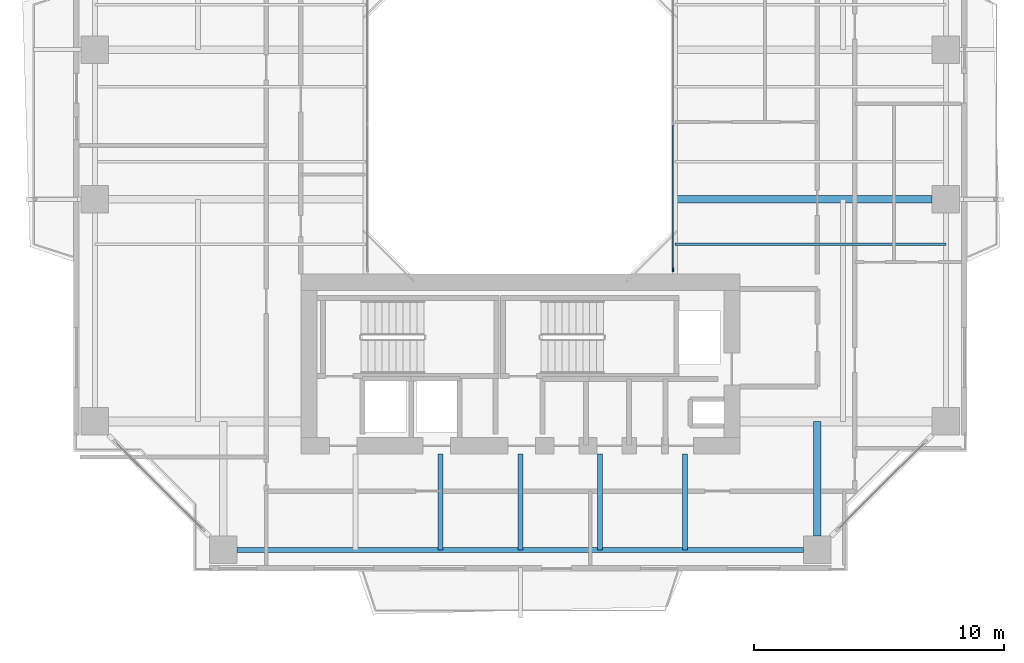
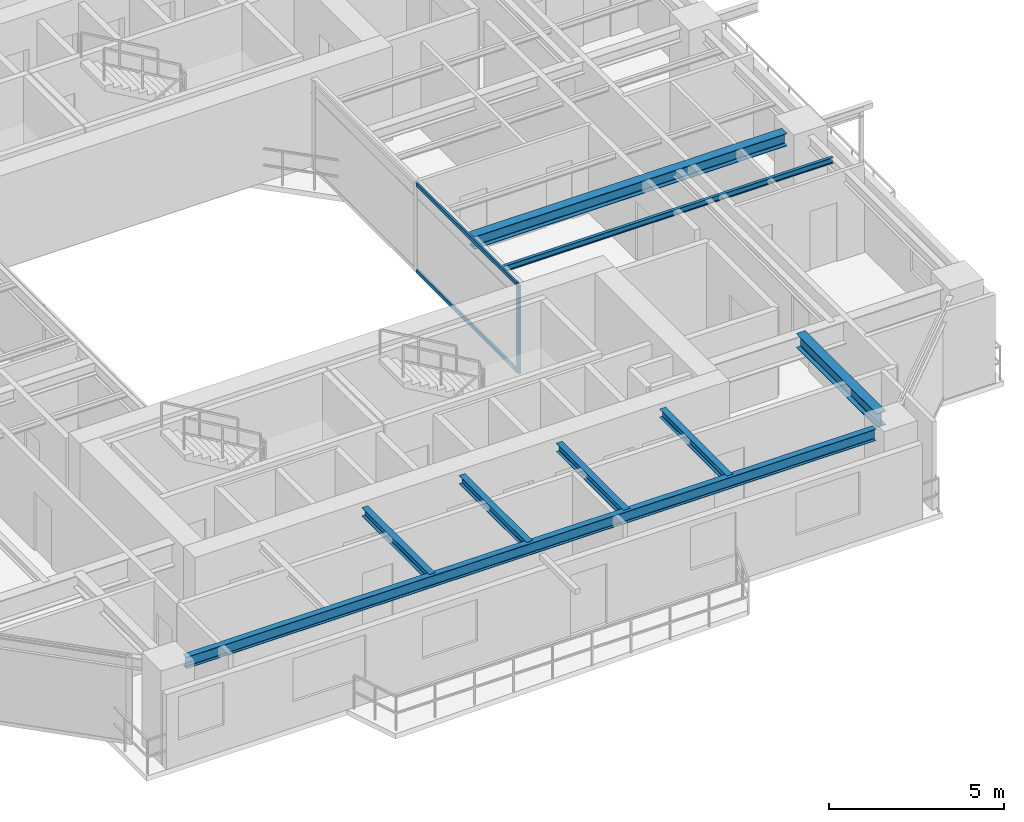
# One storey, part 4 of 17: 8 beams, 3 members, 1 element without a shape of its own.
"""IFC4 building model written with IfcOpenShell, lengths in metres."""

from ifc_helpers import new_model, si_unit, direction, frame, origin, origin_2d, place, context, subcontext, project, spatial, rectangle, i_section, extrude, source, transform, mapped, material, layer, layer_set, material_profile, profile_set, type_object, element, aggregate, save


model = new_model("IFC4")

# Units and contexts
model_context = context("Model", 3, precision=1e-05, world=origin(), true_north=direction((0.0, 1.0)))
body_context = subcontext(model_context, "Body", "Model", "MODEL_VIEW")
ifc_project = project(units=[si_unit("LENGTHUNIT", "METRE"), si_unit("AREAUNIT", "SQUARE_METRE"), si_unit("VOLUMEUNIT", "CUBIC_METRE"), si_unit("PLANEANGLEUNIT", "RADIAN"), si_unit("MASSUNIT", "GRAM", prefix="KILO"), si_unit("THERMODYNAMICTEMPERATUREUNIT", "KELVIN"), si_unit("POWERUNIT", "WATT")], contexts=[model_context])

# Site, building, storey
site_placement = place(None, origin())
site = spatial("IfcSite", under=ifc_project, at=site_placement, CompositionType="ELEMENT")
building_placement = place(site_placement, origin())
building = spatial("IfcBuilding", under=site, at=building_placement, Name="Qiaomeng Ring Towers", CompositionType="ELEMENT")
storey_placement = place(building_placement, frame((0.0, 0.0, 132.75)))
storey = spatial("IfcBuildingStorey", under=building, at=storey_placement, Name="L38", CompositionType="ELEMENT", Elevation=132.75)

# Beams
ifc_material_1 = material(Name="Steel Q355B", Category="steel")
ifc_material_profile_1 = material_profile(ifc_material_1, i_section(OverallWidth=0.199951171875, OverallDepth=0.39990234375, WebThickness=0.008056640625, FlangeThickness=0.012939453125, FilletRadius=0.01611328125, at=origin_2d()), Name="HN 400x200x8x13")
ifc_profile_set_1 = profile_set([ifc_material_profile_1], Name="Steel Q355B")
beam_type_1 = type_object("IfcBeamType", Name="STR-BM-HN400", PredefinedType="SPANDREL", material=ifc_profile_set_1)
shared_shape_1 = source(origin(), body_context, "Body", "SweptSolid", [
    extrude(i_section(OverallWidth=0.199951171875, OverallDepth=0.39990234375, WebThickness=0.008056640625, FlangeThickness=0.012939453125, FilletRadius=0.01611328125, at=origin_2d()), origin(), (0.0, 0.0, 1.0), 22.7021484375),
])
beam_1_placement = place(storey_placement, frame((7.64892578125, 5.949951171875, 2.8701171875), z_axis=(1.0, 0.0, 0.0), x_axis=(0.0, 1.0, 0.0)))
element("IfcBeam", 1, at=beam_1_placement, inside=storey, type_object=beam_type_1, Name="L38 beam STR-SP-L38-T1-S1-S2", PredefinedType="SPANDREL", context=body_context, shape_type="MappedRepresentation", body=[
    mapped(shared_shape_1, transform((0.0, 0.0, 0.0), x_axis=(1.0, 0.0, 0.0), y_axis=(0.0, 1.0, 0.0), z_axis=(0.0, 0.0, 1.0), scale=1.0)),
])
ifc_material_profile_2 = material_profile(ifc_material_1, i_section(OverallWidth=0.300048828125, OverallDepth=0.488037109375, WebThickness=0.010986328125, FlangeThickness=0.01806640625, FilletRadius=0.02587890625, at=origin_2d()), Name="HM 488x300x11x18")
ifc_profile_set_2 = profile_set([ifc_material_profile_2], Name="Steel Q355B")
beam_type_2 = type_object("IfcBeamType", Name="STR-BM-HM488", PredefinedType="BEAM", material=ifc_profile_set_2)
shared_shape_2 = source(origin(), body_context, "Body", "SweptSolid", [
    extrude(i_section(OverallWidth=0.300048828125, OverallDepth=0.488037109375, WebThickness=0.010986328125, FlangeThickness=0.01806640625, FilletRadius=0.02587890625, at=origin_2d()), origin(), (0.0, 0.0, 1.0), 4.60107421875),
])
beam_2_placement = place(storey_placement, frame((30.89990234375, 6.4990234375, 2.825927734375), z_axis=(0.0, 1.0, 0.0), x_axis=(-1.0, 0.0, 0.0)))
element("IfcBeam", 2, at=beam_2_placement, inside=storey, type_object=beam_type_2, Name="L38 beam STR-BM-L38-T1-RAD-S2", PredefinedType="BEAM", context=body_context, shape_type="MappedRepresentation", body=[
    mapped(shared_shape_2, transform((0.0, 0.0, 0.0), x_axis=(1.0, 0.0, 0.0), y_axis=(0.0, 1.0, 0.0), z_axis=(0.0, 0.0, 1.0), scale=1.0)),
])
ifc_material_profile_3 = material_profile(ifc_material_1, i_section(OverallWidth=0.300048828125, OverallDepth=0.43994140625, WebThickness=0.010986328125, FlangeThickness=0.01806640625, FilletRadius=0.02392578125, at=origin_2d()), Name="HM 440x300x11x18")
ifc_profile_set_3 = profile_set([ifc_material_profile_3], Name="Steel Q355B")
beam_type_3 = type_object("IfcBeamType", Name="STR-BM-HM440", PredefinedType="BEAM", material=ifc_profile_set_3)
shared_shape_3 = source(origin(), body_context, "Body", "SweptSolid", [
    extrude(i_section(OverallWidth=0.300048828125, OverallDepth=0.43994140625, WebThickness=0.010986328125, FlangeThickness=0.01806640625, FilletRadius=0.02392578125, at=origin_2d()), origin(), (0.0, 0.0, 1.0), 10.301025390625),
])
beam_3_placement = place(storey_placement, frame((25.199951171875, 20.0, 2.85009765625), z_axis=(1.0, 0.0, 0.0), x_axis=(0.0, 1.0, 0.0)))
element("IfcBeam", 3, at=beam_3_placement, inside=storey, type_object=beam_type_3, Name="L38 beam STR-BM-L38-T1-RAD-E2", PredefinedType="BEAM", context=body_context, shape_type="MappedRepresentation", body=[
    mapped(shared_shape_3, transform((0.0, 0.0, 0.0), x_axis=(1.0, 0.0, 0.0), y_axis=(0.0, 1.0, 0.0), z_axis=(0.0, 0.0, 1.0), scale=1.0)),
])
ifc_material_profile_4 = material_profile(ifc_material_1, i_section(OverallWidth=0.199951171875, OverallDepth=0.2939453125, WebThickness=0.008056640625, FlangeThickness=0.011962890625, FilletRadius=0.01806640625, at=origin_2d()), Name="HM 294x200x8x12")
ifc_profile_set_4 = profile_set([ifc_material_profile_4], Name="Steel Q355B")
beam_type_4 = type_object("IfcBeamType", Name="STR-BM-HM294", PredefinedType="JOIST", material=ifc_profile_set_4)
shared_shape_4 = source(origin(), body_context, "Body", "SweptSolid", [
    extrude(i_section(OverallWidth=0.199951171875, OverallDepth=0.2939453125, WebThickness=0.008056640625, FlangeThickness=0.011962890625, FilletRadius=0.01806640625, at=origin_2d()), origin(), (0.0, 0.0, 1.0), 3.85009765625),
])
for number, where, z_axis, x_axis, name in (
    (4, (15.800048828125, 5.949951171875, 2.923095703125), (0.0, 1.0, 0.0), (-1.0, 0.0, 0.0), "L38 beam STR-JST-L38-T1S-2"),
    (5, (19.0, 5.949951171875, 2.923095703125), (0.0, 1.0, 0.0), (-1.0, 0.0, 0.0), "L38 beam STR-JST-L38-T1S-3"),
    (6, (22.199951171875, 5.949951171875, 2.923095703125), (0.0, 1.0, 0.0), (-1.0, 0.0, 0.0), "L38 beam STR-JST-L38-T1S-4"),
    (7, (25.60009765625, 5.949951171875, 2.923095703125), (0.0, 1.0, 0.0), (-1.0, 0.0, 0.0), "L38 beam STR-JST-L38-T1S-5"),
):
    element("IfcBeam", number, at=place(storey_placement, frame(where, z_axis=z_axis, x_axis=x_axis)), inside=storey, type_object=beam_type_4, Name=name, PredefinedType="JOIST", context=body_context, shape_type="MappedRepresentation", body=[
        mapped(shared_shape_4, transform((0.0, 0.0, 0.0), x_axis=(1.0, 0.0, 0.0), y_axis=(0.0, 1.0, 0.0), z_axis=(0.0, 0.0, 1.0), scale=1.0)),
    ])
ifc_material_profile_5 = material_profile(ifc_material_1, i_section(OverallWidth=0.10009765625, OverallDepth=0.199951171875, WebThickness=0.005615234375, FlangeThickness=0.008056640625, FilletRadius=0.010986328125, at=origin_2d()), Name="HN 200x100x5.5x8")
ifc_profile_set_5 = profile_set([ifc_material_profile_5], Name="Steel Q355B")
beam_type_5 = type_object("IfcBeamType", Name="STR-BM-HN200", PredefinedType="JOIST", material=ifc_profile_set_5)
shared_shape_5 = source(origin(), body_context, "Body", "SweptSolid", [
    extrude(i_section(OverallWidth=0.10009765625, OverallDepth=0.199951171875, WebThickness=0.005615234375, FlangeThickness=0.008056640625, FilletRadius=0.010986328125, at=origin_2d()), origin(), (0.0, 0.0, 1.0), 10.85009765625),
])
beam_4_placement = place(storey_placement, frame((25.199951171875, 18.199951171875, 2.969970703125), z_axis=(1.0, 0.0, 0.0), x_axis=(0.0, 1.0, 0.0)))
element("IfcBeam", 8, at=beam_4_placement, inside=storey, type_object=beam_type_5, Name="L38 beam STR-JST-L38-T1E-1", PredefinedType="JOIST", context=body_context, shape_type="MappedRepresentation", body=[
    mapped(shared_shape_5, transform((0.0, 0.0, 0.0), x_axis=(1.0, 0.0, 0.0), y_axis=(0.0, 1.0, 0.0), z_axis=(0.0, 0.0, 1.0), scale=1.0)),
])

# Curtain wall, members
ifc_material_2 = material(Name="Fluorocarbon dark-grey aluminium", Category="aluminium")
ifc_layer = layer(ifc_material_2, 0.139892578125, Name="Fluorocarbon dark-grey aluminium")
ifc_layer_set = layer_set([ifc_layer], Name="Fluorocarbon dark-grey aluminium")
curtain_wall_type = type_object("IfcCurtainWallType", Name="ARC-CW-4", PredefinedType="NOTDEFINED", material=ifc_layer_set)
curtain_wall_placement = place(storey_placement, origin())
curtain_wall = element("IfcCurtainWall", 9, at=curtain_wall_placement, inside=storey, type_object=curtain_wall_type, Name="L38 Curtain Wall CW4", PredefinedType="NOTDEFINED")
ifc_material_profile_6 = material_profile(ifc_material_2, rectangle(XDim=0.06494140625, YDim=0.159912109375, at=origin_2d()), Name="ALU MULL 65x160")
ifc_profile_set_6 = profile_set([ifc_material_profile_6], Name="Fluorocarbon dark-grey aluminium")
member_type_1 = type_object("IfcMemberType", Name="ARC-CWM-140", PredefinedType="MULLION", material=ifc_profile_set_6)
shared_shape_6 = source(origin(), body_context, "Body", "SweptSolid", [
    extrude(rectangle(XDim=0.06494140625, YDim=0.159912109375, at=origin_2d()), origin(), (0.0, 0.0, 1.0), 3.070068359375),
])
member_1_placement = place(storey_placement, frame((25.1201171875, 17.1826171875, 0.0), z_axis=(0.0, 0.0, 1.0), x_axis=(-1.0, 0.0, 0.0)))
member_1 = element("IfcMember", 10, at=member_1_placement, type_object=member_type_1, Name="CW4 mullion 1", PredefinedType="MULLION", context=body_context, shape_type="MappedRepresentation", body=[
    mapped(shared_shape_6, transform((0.0, 0.0, 0.0), x_axis=(1.0, 0.0, 0.0), y_axis=(0.0, 1.0, 0.0), z_axis=(0.0, 0.0, 1.0), scale=1.0)),
])
ifc_material_profile_7 = material_profile(ifc_material_2, rectangle(XDim=0.06494140625, YDim=0.1298828125, at=origin_2d()), Name="ALU TRAN 65x130")
ifc_profile_set_7 = profile_set([ifc_material_profile_7], Name="Fluorocarbon dark-grey aluminium")
member_type_2 = type_object("IfcMemberType", Name="ARC-CWT-120", PredefinedType="USERDEFINED", material=ifc_profile_set_7)
shared_shape_7 = source(origin(), body_context, "Body", "SweptSolid", [
    extrude(rectangle(XDim=0.06494140625, YDim=0.1298828125, at=origin_2d()), origin(), (0.0, 0.0, 1.0), 5.75244140625),
])
member_2_placement = place(storey_placement, frame((25.1201171875, 17.215087890625, 0.032470703125), z_axis=(0.0, 1.0, 0.0), x_axis=(-1.0, 0.0, 0.0)))
member_2 = element("IfcMember", 11, at=member_2_placement, type_object=member_type_2, Name="CW4 transom 1.1", ObjectType="TRANSOM", PredefinedType="USERDEFINED", context=body_context, shape_type="MappedRepresentation", body=[
    mapped(shared_shape_7, transform((0.0, 0.0, 0.0), x_axis=(1.0, 0.0, 0.0), y_axis=(0.0, 1.0, 0.0), z_axis=(0.0, 0.0, 1.0), scale=1.0)),
])
member_3_placement = place(storey_placement, frame((25.1201171875, 17.215087890625, 3.03759765625), z_axis=(0.0, 1.0, 0.0), x_axis=(-1.0, 0.0, 0.0)))
member_3 = element("IfcMember", 12, at=member_3_placement, type_object=member_type_2, Name="CW4 transom 1.2", ObjectType="TRANSOM", PredefinedType="USERDEFINED", context=body_context, shape_type="MappedRepresentation", body=[
    mapped(shared_shape_7, transform((0.0, 0.0, 0.0), x_axis=(1.0, 0.0, 0.0), y_axis=(0.0, 1.0, 0.0), z_axis=(0.0, 0.0, 1.0), scale=1.0)),
])
aggregate(curtain_wall, [member_1, member_2, member_3])

save(model, "model.ifc")
